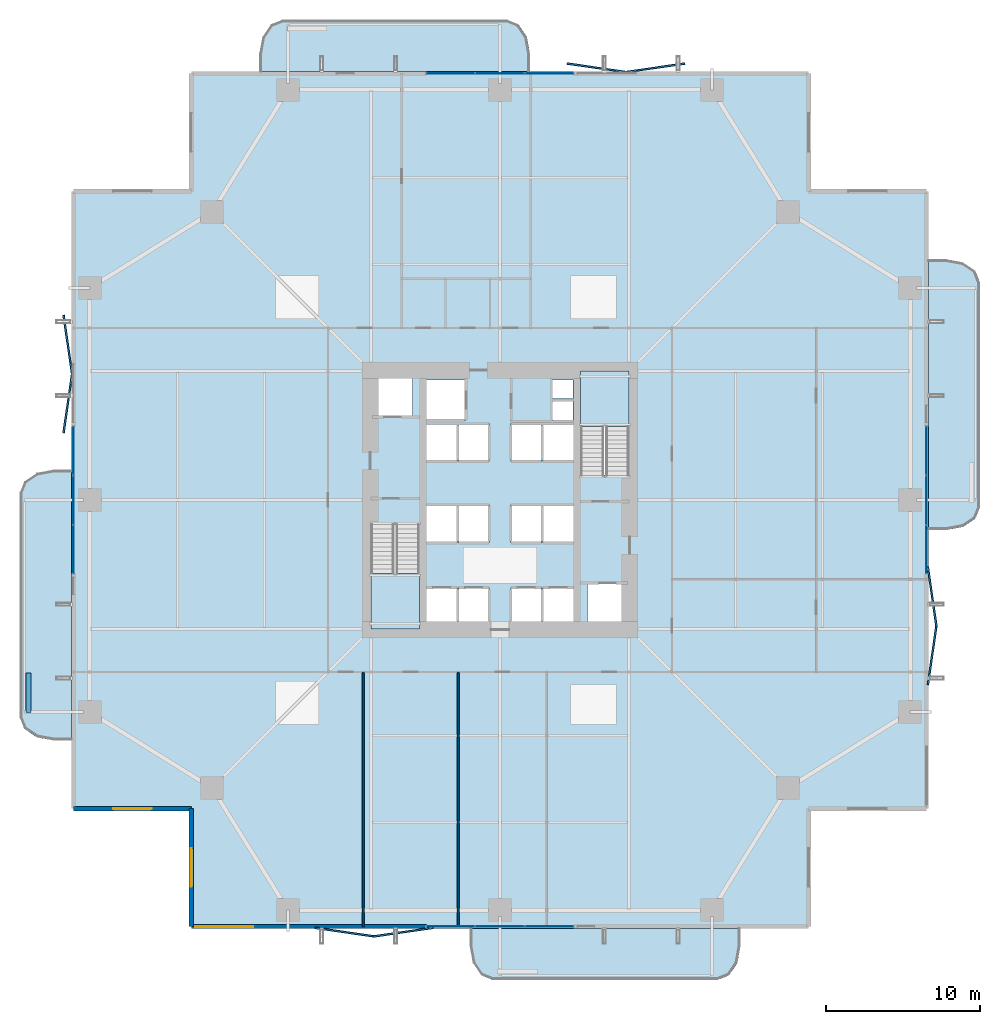
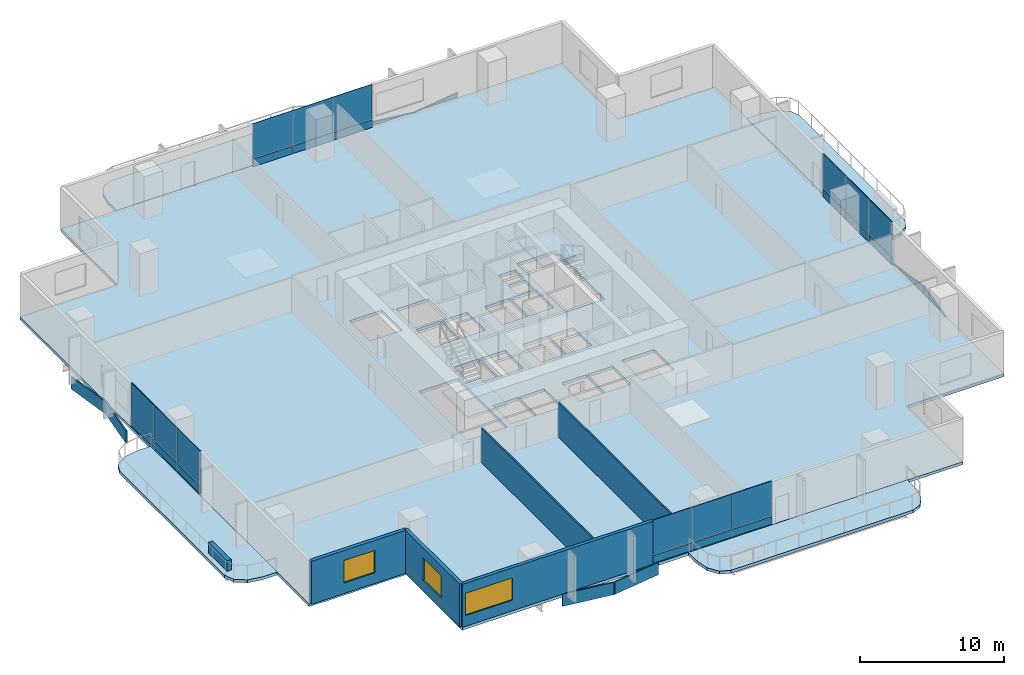
# One storey, part 16 of 24: 32 plates, 7 slabs, 6 walls, 3 windows, 3 openings, 6 elements without a shape of their own.
"""IFC4 building model written with IfcOpenShell, lengths in metres."""

from ifc_helpers import new_model, si_unit, direction, frame, frame_2d, origin, origin_2d, place, context, subcontext, project, spatial, polyline, rectangle, outline, extrude, material, layer, layer_set, type_object, element, fill, aggregate, save


model = new_model("IFC4")

# Units and contexts
model_context = context("Model", 3, precision=1e-05, world=origin(), true_north=direction((0.0, 1.0)))
body_context = subcontext(model_context, "Body", "Model", "MODEL_VIEW")
ifc_project = project(units=[si_unit("LENGTHUNIT", "METRE"), si_unit("AREAUNIT", "SQUARE_METRE"), si_unit("VOLUMEUNIT", "CUBIC_METRE"), si_unit("PLANEANGLEUNIT", "RADIAN"), si_unit("MASSUNIT", "GRAM", prefix="KILO")], contexts=[model_context])

# Site, building, storey
site_placement = place(None, origin())
site = spatial("IfcSite", under=ifc_project, at=site_placement, CompositionType="ELEMENT")
building_placement = place(site_placement, origin())
building = spatial("IfcBuilding", under=site, at=building_placement, Name="Belovzor Exchange Tower", CompositionType="ELEMENT")
storey_placement = place(building_placement, frame((0.0, 0.0, 96.300048828125)))
storey = spatial("IfcBuildingStorey", under=building, at=storey_placement, Name="L23", CompositionType="ELEMENT", Elevation=96.300048828125)

# Slab
ifc_material_1 = material(Name="Concrete C40/50", Category="concrete")
ifc_layer_1 = layer(ifc_material_1, 0.25)
ifc_layer_set_1 = layer_set([ifc_layer_1], Name="Concrete C40/50")
slab_type_1 = type_object("IfcSlabType", Name="Composite Concrete Floor Deck Slab 250", PredefinedType="FLOOR", material=ifc_layer_set_1)
slab_1_placement = place(storey_placement, frame((0.0, 0.0, -0.25)))
element("IfcSlab", 1, at=slab_1_placement, inside=storey, type_object=slab_type_1, Name="SL-F250 Structural Slab L23", PredefinedType="FLOOR", context=body_context, shape_type="SweptSolid", body=[
    extrude(outline(polyline([(8.699951171875, 0.89990234375), (48.89990234375, 0.89990234375), (48.89990234375, 8.699951171875), (56.699951171875, 8.699951171875), (56.699951171875, 48.89990234375), (48.89990234375, 48.89990234375), (48.89990234375, 56.699951171875), (8.699951171875, 56.699951171875), (8.699951171875, 48.89990234375), (0.89990234375, 48.89990234375), (0.89990234375, 8.699951171875), (8.699951171875, 8.699951171875), (8.699951171875, 0.89990234375)]), holes=[polyline([(20.39990234375, 27.175048828125), (20.39990234375, 20.39990234375), (23.550048828125, 20.39990234375), (23.550048828125, 27.175048828125), (20.39990234375, 27.175048828125)]), polyline([(37.199951171875, 30.425048828125), (37.199951171875, 37.199951171875), (34.050048828125, 37.199951171875), (34.050048828125, 30.425048828125), (37.199951171875, 30.425048828125)]), polyline([(20.5, 34.199951171875), (23.10009765625, 34.199951171875), (23.10009765625, 37.0), (20.5, 37.0), (20.5, 34.199951171875)]), polyline([(34.5, 20.60009765625), (37.10009765625, 20.60009765625), (37.10009765625, 23.39990234375), (34.5, 23.39990234375), (34.5, 20.60009765625)]), polyline([(24.0, 34.0), (26.60009765625, 34.0), (26.60009765625, 36.60009765625), (24.0, 36.60009765625), (24.0, 34.0)]), polyline([(24.0, 20.60009765625), (26.0, 20.60009765625), (26.0, 23.10009765625), (24.0, 23.10009765625), (24.0, 20.60009765625)]), polyline([(26.10009765625, 20.60009765625), (28.10009765625, 20.60009765625), (28.10009765625, 23.10009765625), (26.10009765625, 23.10009765625), (26.10009765625, 20.60009765625)]), polyline([(29.5, 20.60009765625), (31.5, 20.60009765625), (31.5, 23.10009765625), (29.5, 23.10009765625), (29.5, 20.60009765625)]), polyline([(31.60009765625, 20.60009765625), (33.60009765625, 20.60009765625), (33.60009765625, 23.10009765625), (31.60009765625, 23.10009765625), (31.60009765625, 20.60009765625)]), polyline([(24.0, 26.0), (26.0, 26.0), (26.0, 28.5), (24.0, 28.5), (24.0, 26.0)]), polyline([(26.10009765625, 26.0), (28.10009765625, 26.0), (28.10009765625, 28.5), (26.10009765625, 28.5), (26.10009765625, 26.0)]), polyline([(29.5, 26.0), (31.5, 26.0), (31.5, 28.5), (29.5, 28.5), (29.5, 26.0)]), polyline([(31.60009765625, 26.0), (33.60009765625, 26.0), (33.60009765625, 28.5), (31.60009765625, 28.5), (31.60009765625, 26.0)]), polyline([(24.0, 31.300048828125), (26.0, 31.300048828125), (26.0, 33.800048828125), (24.0, 33.800048828125), (24.0, 31.300048828125)]), polyline([(26.10009765625, 31.300048828125), (28.10009765625, 31.300048828125), (28.10009765625, 33.800048828125), (26.10009765625, 33.800048828125), (26.10009765625, 31.300048828125)]), polyline([(29.5, 31.300048828125), (31.5, 31.300048828125), (31.5, 33.800048828125), (29.5, 33.800048828125), (29.5, 31.300048828125)]), polyline([(31.60009765625, 31.300048828125), (33.60009765625, 31.300048828125), (33.60009765625, 33.800048828125), (31.60009765625, 33.800048828125), (31.60009765625, 31.300048828125)]), polyline([(32.199951171875, 34.0), (33.550048828125, 34.0), (33.550048828125, 35.199951171875), (32.199951171875, 35.199951171875), (32.199951171875, 34.0)]), polyline([(32.199951171875, 35.39990234375), (33.550048828125, 35.39990234375), (33.550048828125, 36.60009765625), (32.199951171875, 36.60009765625), (32.199951171875, 35.39990234375)])]), origin(), (0.0, 0.0, 1.0), 0.25),
])

# Plates
ifc_material_2 = material(Name="Extruded Architectural Terracotta", Category="masonry")
ifc_layer_2 = layer(ifc_material_2, 0.1201171875)
ifc_layer_set_2 = layer_set([ifc_layer_2], Name="Extruded Architectural Terracotta")
plate_type_1 = type_object("IfcPlateType", Name="Folded Zigzag Terracotta Spandrel Louvre 80", PredefinedType="USERDEFINED", material=ifc_layer_set_2)
for number, where, z_axis, x_axis, name in (
    (2, (18.699951171875, 0.6650390625, -1.03515625), (0.0, 0.0, 1.0), (0.989686419138, -0.143250800258, 0.0), "LVR-ZZ1 Zigzag Terracotta Spandrel Louvre L23 S1A"),
    (3, (22.5, 0.6650390625, -1.03515625), (0.0, 0.0, 1.0), (0.989686419138, 0.143250800258, 0.0), "LVR-ZZ1 Zigzag Terracotta Spandrel Louvre L23 S1B"),
    (4, (56.93505859375, 18.699951171875, -1.03515625), (0.0, 0.0, 1.0), (0.143250800258, 0.989686419138, 0.0), "LVR-ZZ1 Zigzag Terracotta Spandrel Louvre L23 E1A"),
    (5, (56.93505859375, 22.5, -1.03515625), (0.0, 0.0, 1.0), (-0.143250800258, 0.989686419138, 0.0), "LVR-ZZ1 Zigzag Terracotta Spandrel Louvre L23 E1B"),
    (6, (35.10009765625, 56.93505859375, -1.03515625), (0.0, 0.0, 1.0), (0.989686419138, -0.143250800258, 0.0), "LVR-ZZ1 Zigzag Terracotta Spandrel Louvre L23 N2A"),
    (7, (38.89990234375, 56.93505859375, -1.03515625), (0.0, 0.0, 1.0), (0.989686419138, 0.143250800258, 0.0), "LVR-ZZ1 Zigzag Terracotta Spandrel Louvre L23 N2B"),
    (8, (0.6650390625, 35.10009765625, -1.03515625), (0.0, 0.0, 1.0), (0.143250800258, 0.989686419138, 0.0), "LVR-ZZ1 Zigzag Terracotta Spandrel Louvre L23 W2A"),
    (9, (0.6650390625, 38.89990234375, -1.03515625), (0.0, 0.0, 1.0), (-0.143250800258, 0.989686419138, 0.0), "LVR-ZZ1 Zigzag Terracotta Spandrel Louvre L23 W2B"),
):
    element("IfcPlate", number, at=place(storey_placement, frame(where, z_axis=z_axis, x_axis=x_axis)), inside=storey, type_object=plate_type_1, Name=name, ObjectType="SPANDREL_LOUVRE", PredefinedType="USERDEFINED", context=body_context, shape_type="SweptSolid", body=[
        extrude(rectangle(XDim=3.919921875, YDim=0.1201171875, at=origin_2d()), origin(), (0.0, 0.0, 1.0), 1.050048828125),
    ])

# Curtain wall, plates
ifc_material_3 = material(Name="Anodised Aluminium Framing", Category="aluminium")
ifc_layer_3 = layer(ifc_material_3, 0.179931640625)
ifc_layer_set_3 = layer_set([ifc_layer_3], Name="Anodised Aluminium Framing")
curtain_wall_type = type_object("IfcCurtainWallType", Name="Recessed Loggia Low-Iron Triple-Glazed Curtain Wall", PredefinedType="NOTDEFINED", material=ifc_layer_set_3)
curtain_wall_1_placement = place(storey_placement, origin())
curtain_wall_1 = element("IfcCurtainWall", 10, at=curtain_wall_1_placement, inside=storey, type_object=curtain_wall_type, Name="CW3 Recessed Loggia Low-Iron Triple-Glazed Curtain Wall L23", PredefinedType="NOTDEFINED")
ifc_material_4 = material(Name="Solar-Control Triple Glazing", Category="glass")
ifc_layer_4 = layer(ifc_material_4, 0.0439453125)
ifc_layer_set_4 = layer_set([ifc_layer_4], Name="Solar-Control Triple Glazing")
plate_type_2 = type_object("IfcPlateType", Name="Insulated Solar Glazing Curtain Panel 44", PredefinedType="CURTAIN_PANEL", material=ifc_layer_set_4)
plate_1_placement = place(storey_placement, frame((32.0, 1.030029296875, 0.65185546875), z_axis=(0.0, 0.0, 1.0), x_axis=(-1.0, 0.0, 0.0)))
plate_1 = element("IfcPlate", 11, at=plate_1_placement, type_object=plate_type_2, Name="GLZ-44 Glazed Curtain Panel 1", PredefinedType="CURTAIN_PANEL", context=body_context, shape_type="SweptSolid", body=[
    extrude(rectangle(XDim=3.18408203125, YDim=0.0439453125, at=origin_2d()), origin(), (0.0, 0.0, 1.0), 2.998046875),
])
plate_2_placement = place(storey_placement, frame((28.800048828125, 1.030029296875, 0.65185546875), z_axis=(0.0, 0.0, 1.0), x_axis=(-1.0, 0.0, 0.0)))
plate_2 = element("IfcPlate", 12, at=plate_2_placement, type_object=plate_type_2, Name="GLZ-44 Glazed Curtain Panel 2", PredefinedType="CURTAIN_PANEL", context=body_context, shape_type="SweptSolid", body=[
    extrude(rectangle(XDim=3.18408203125, YDim=0.0439453125, at=origin_2d()), origin(), (0.0, 0.0, 1.0), 2.998046875),
])
plate_3_placement = place(storey_placement, frame((25.60009765625, 1.030029296875, 0.65185546875), z_axis=(0.0, 0.0, 1.0), x_axis=(-1.0, 0.0, 0.0)))
plate_3 = element("IfcPlate", 13, at=plate_3_placement, type_object=plate_type_2, Name="GLZ-44 Glazed Curtain Panel 3", PredefinedType="CURTAIN_PANEL", context=body_context, shape_type="SweptSolid", body=[
    extrude(rectangle(XDim=3.18408203125, YDim=0.0439453125, at=origin_2d()), origin(), (0.0, 0.0, 1.0), 2.998046875),
])

curtain_wall_2_placement = place(storey_placement, origin())
curtain_wall_2 = element("IfcCurtainWall", 14, at=curtain_wall_2_placement, inside=storey, type_object=curtain_wall_type, Name="CW3 Recessed Loggia Low-Iron Triple-Glazed Curtain Wall L23", PredefinedType="NOTDEFINED")
plate_4_placement = place(storey_placement, frame((25.60009765625, 56.570068359375, 0.65185546875), z_axis=(0.0, 0.0, 1.0), x_axis=(1.0, 0.0, 0.0)))
plate_4 = element("IfcPlate", 15, at=plate_4_placement, type_object=plate_type_2, Name="GLZ-44 Glazed Curtain Panel 1", PredefinedType="CURTAIN_PANEL", context=body_context, shape_type="SweptSolid", body=[
    extrude(rectangle(XDim=3.18408203125, YDim=0.0439453125, at=origin_2d()), origin(), (0.0, 0.0, 1.0), 2.998046875),
])
plate_5_placement = place(storey_placement, frame((28.800048828125, 56.570068359375, 0.65185546875), z_axis=(0.0, 0.0, 1.0), x_axis=(1.0, 0.0, 0.0)))
plate_5 = element("IfcPlate", 16, at=plate_5_placement, type_object=plate_type_2, Name="GLZ-44 Glazed Curtain Panel 2", PredefinedType="CURTAIN_PANEL", context=body_context, shape_type="SweptSolid", body=[
    extrude(rectangle(XDim=3.18408203125, YDim=0.0439453125, at=origin_2d()), origin(), (0.0, 0.0, 1.0), 2.998046875),
])
plate_6_placement = place(storey_placement, frame((32.0, 56.570068359375, 0.65185546875), z_axis=(0.0, 0.0, 1.0), x_axis=(1.0, 0.0, 0.0)))
plate_6 = element("IfcPlate", 17, at=plate_6_placement, type_object=plate_type_2, Name="GLZ-44 Glazed Curtain Panel 3", PredefinedType="CURTAIN_PANEL", context=body_context, shape_type="SweptSolid", body=[
    extrude(rectangle(XDim=3.18408203125, YDim=0.0439453125, at=origin_2d()), origin(), (0.0, 0.0, 1.0), 2.998046875),
])

curtain_wall_3_placement = place(storey_placement, origin())
curtain_wall_3 = element("IfcCurtainWall", 18, at=curtain_wall_3_placement, inside=storey, type_object=curtain_wall_type, Name="CW3 Recessed Loggia Low-Iron Triple-Glazed Curtain Wall L23", PredefinedType="NOTDEFINED")
plate_7_placement = place(storey_placement, frame((1.030029296875, 25.60009765625, 0.65185546875), z_axis=(0.0, 0.0, 1.0), x_axis=(0.0, 1.0, 0.0)))
plate_7 = element("IfcPlate", 19, at=plate_7_placement, type_object=plate_type_2, Name="GLZ-44 Glazed Curtain Panel 1", PredefinedType="CURTAIN_PANEL", context=body_context, shape_type="SweptSolid", body=[
    extrude(rectangle(XDim=3.18408203125, YDim=0.0439453125, at=origin_2d()), origin(), (0.0, 0.0, 1.0), 2.998046875),
])
plate_8_placement = place(storey_placement, frame((1.030029296875, 28.800048828125, 0.65185546875), z_axis=(0.0, 0.0, 1.0), x_axis=(0.0, 1.0, 0.0)))
plate_8 = element("IfcPlate", 20, at=plate_8_placement, type_object=plate_type_2, Name="GLZ-44 Glazed Curtain Panel 2", PredefinedType="CURTAIN_PANEL", context=body_context, shape_type="SweptSolid", body=[
    extrude(rectangle(XDim=3.18408203125, YDim=0.0439453125, at=origin_2d()), origin(), (0.0, 0.0, 1.0), 2.998046875),
])
plate_9_placement = place(storey_placement, frame((1.030029296875, 32.0, 0.65185546875), z_axis=(0.0, 0.0, 1.0), x_axis=(0.0, 1.0, 0.0)))
plate_9 = element("IfcPlate", 21, at=plate_9_placement, type_object=plate_type_2, Name="GLZ-44 Glazed Curtain Panel 3", PredefinedType="CURTAIN_PANEL", context=body_context, shape_type="SweptSolid", body=[
    extrude(rectangle(XDim=3.18408203125, YDim=0.0439453125, at=origin_2d()), origin(), (0.0, 0.0, 1.0), 2.998046875),
])

curtain_wall_4_placement = place(storey_placement, origin())
curtain_wall_4 = element("IfcCurtainWall", 22, at=curtain_wall_4_placement, inside=storey, type_object=curtain_wall_type, Name="CW3 Recessed Loggia Low-Iron Triple-Glazed Curtain Wall L23", PredefinedType="NOTDEFINED")
plate_10_placement = place(storey_placement, frame((56.570068359375, 32.0, 0.65185546875), z_axis=(0.0, 0.0, 1.0), x_axis=(0.0, -1.0, 0.0)))
plate_10 = element("IfcPlate", 23, at=plate_10_placement, type_object=plate_type_2, Name="GLZ-44 Glazed Curtain Panel 1", PredefinedType="CURTAIN_PANEL", context=body_context, shape_type="SweptSolid", body=[
    extrude(rectangle(XDim=3.18408203125, YDim=0.0439453125, at=origin_2d()), origin(), (0.0, 0.0, 1.0), 2.998046875),
])
plate_11_placement = place(storey_placement, frame((56.570068359375, 28.800048828125, 0.65185546875), z_axis=(0.0, 0.0, 1.0), x_axis=(0.0, -1.0, 0.0)))
plate_11 = element("IfcPlate", 24, at=plate_11_placement, type_object=plate_type_2, Name="GLZ-44 Glazed Curtain Panel 2", PredefinedType="CURTAIN_PANEL", context=body_context, shape_type="SweptSolid", body=[
    extrude(rectangle(XDim=3.18408203125, YDim=0.0439453125, at=origin_2d()), origin(), (0.0, 0.0, 1.0), 2.998046875),
])
plate_12_placement = place(storey_placement, frame((56.570068359375, 25.60009765625, 0.65185546875), z_axis=(0.0, 0.0, 1.0), x_axis=(0.0, -1.0, 0.0)))
plate_12 = element("IfcPlate", 25, at=plate_12_placement, type_object=plate_type_2, Name="GLZ-44 Glazed Curtain Panel 3", PredefinedType="CURTAIN_PANEL", context=body_context, shape_type="SweptSolid", body=[
    extrude(rectangle(XDim=3.18408203125, YDim=0.0439453125, at=origin_2d()), origin(), (0.0, 0.0, 1.0), 2.998046875),
])

# Stair, slab
ifc_material_5 = material(Name="Concrete C40/50", Category="concrete")
stair_type = type_object("IfcStairType", Name="Reinforced Concrete Dogleg Escape Stair 1350", PredefinedType="HALF_TURN_STAIR", material=ifc_material_5)
stair_1_placement = place(storey_placement, origin())
stair_1 = element("IfcStair", 26, at=stair_1_placement, inside=storey, type_object=stair_type, Name="L23 ST-1", PredefinedType="HALF_TURN_STAIR")
ifc_material_6 = material(Name="Concrete C40/50", Category="concrete")
ifc_layer_5 = layer(ifc_material_6, 0.199951171875)
ifc_layer_set_5 = layer_set([ifc_layer_5], Name="Concrete C40/50")
slab_type_2 = type_object("IfcSlabType", Name="Reinforced Concrete Stair Half-Landing Slab 200", PredefinedType="LANDING", material=ifc_layer_set_5)
slab_2_placement = place(storey_placement, frame((0.0, 0.0, 1.75)))
slab_2 = element("IfcSlab", 27, at=slab_2_placement, type_object=slab_type_2, Name="ST-1 landing 1", PredefinedType="LANDING", context=body_context, shape_type="SweptSolid", body=[
    extrude(outline(polyline([(20.39990234375, 24.010009765625), (20.39990234375, 20.39990234375), (23.550048828125, 20.39990234375), (23.550048828125, 24.010009765625), (20.39990234375, 24.010009765625)])), origin(), (0.0, 0.0, 1.0), 0.199951171875),
])
aggregate(stair_1, [slab_2])

stair_2_placement = place(storey_placement, origin())
stair_2 = element("IfcStair", 28, at=stair_2_placement, inside=storey, type_object=stair_type, Name="L23 ST-2", PredefinedType="HALF_TURN_STAIR")
slab_3_placement = place(storey_placement, frame((0.0, 0.0, 1.75)))
slab_3 = element("IfcSlab", 29, at=slab_3_placement, type_object=slab_type_2, Name="ST-2 landing 1", PredefinedType="LANDING", context=body_context, shape_type="SweptSolid", body=[
    extrude(outline(polyline([(37.199951171875, 33.590087890625), (37.199951171875, 37.199951171875), (34.050048828125, 37.199951171875), (34.050048828125, 33.590087890625), (37.199951171875, 33.590087890625)])), origin(), (0.0, 0.0, 1.0), 0.199951171875),
])
aggregate(stair_2, [slab_3])

# Plate
ifc_material_7 = material(Name="Extruded Architectural Terracotta", Category="masonry")
ifc_layer_6 = layer(ifc_material_7, 0.090087890625)
ifc_layer_set_6 = layer_set([ifc_layer_6], Name="Extruded Architectural Terracotta")
plate_type_3 = type_object("IfcPlateType", Name="Terracotta Shadow-Box Spandrel Panel 90", PredefinedType="CURTAIN_PANEL", material=ifc_layer_set_6)
plate_13_placement = place(storey_placement, frame((32.0, 1.030029296875, 0.0), z_axis=(0.0, 0.0, 1.0), x_axis=(-1.0, 0.0, 0.0)))
plate_13 = element("IfcPlate", 30, at=plate_13_placement, type_object=plate_type_3, Name="SPD-90 Spandrel Panel 1", PredefinedType="CURTAIN_PANEL", context=body_context, shape_type="SweptSolid", body=[
    extrude(rectangle(XDim=3.18408203125, YDim=0.090087890625, at=origin_2d()), origin(), (0.0, 0.0, 1.0), 0.64794921875),
])

plate_14_placement = place(storey_placement, frame((28.800048828125, 1.030029296875, 0.0), z_axis=(0.0, 0.0, 1.0), x_axis=(-1.0, 0.0, 0.0)))
plate_14 = element("IfcPlate", 31, at=plate_14_placement, type_object=plate_type_3, Name="SPD-90 Spandrel Panel 2", PredefinedType="CURTAIN_PANEL", context=body_context, shape_type="SweptSolid", body=[
    extrude(rectangle(XDim=3.18408203125, YDim=0.090087890625, at=origin_2d()), origin(), (0.0, 0.0, 1.0), 0.64794921875),
])

plate_15_placement = place(storey_placement, frame((25.60009765625, 1.030029296875, 0.0), z_axis=(0.0, 0.0, 1.0), x_axis=(-1.0, 0.0, 0.0)))
plate_15 = element("IfcPlate", 32, at=plate_15_placement, type_object=plate_type_3, Name="SPD-90 Spandrel Panel 3", PredefinedType="CURTAIN_PANEL", context=body_context, shape_type="SweptSolid", body=[
    extrude(rectangle(XDim=3.18408203125, YDim=0.090087890625, at=origin_2d()), origin(), (0.0, 0.0, 1.0), 0.64794921875),
])

aggregate(curtain_wall_1, [plate_13, plate_1, plate_14, plate_2, plate_15, plate_3])

plate_16_placement = place(storey_placement, frame((25.60009765625, 56.570068359375, 0.0), z_axis=(0.0, 0.0, 1.0), x_axis=(1.0, 0.0, 0.0)))
plate_16 = element("IfcPlate", 33, at=plate_16_placement, type_object=plate_type_3, Name="SPD-90 Spandrel Panel 1", PredefinedType="CURTAIN_PANEL", context=body_context, shape_type="SweptSolid", body=[
    extrude(rectangle(XDim=3.18408203125, YDim=0.090087890625, at=origin_2d()), origin(), (0.0, 0.0, 1.0), 0.64794921875),
])

plate_17_placement = place(storey_placement, frame((28.800048828125, 56.570068359375, 0.0), z_axis=(0.0, 0.0, 1.0), x_axis=(1.0, 0.0, 0.0)))
plate_17 = element("IfcPlate", 34, at=plate_17_placement, type_object=plate_type_3, Name="SPD-90 Spandrel Panel 2", PredefinedType="CURTAIN_PANEL", context=body_context, shape_type="SweptSolid", body=[
    extrude(rectangle(XDim=3.18408203125, YDim=0.090087890625, at=origin_2d()), origin(), (0.0, 0.0, 1.0), 0.64794921875),
])

plate_18_placement = place(storey_placement, frame((32.0, 56.570068359375, 0.0), z_axis=(0.0, 0.0, 1.0), x_axis=(1.0, 0.0, 0.0)))
plate_18 = element("IfcPlate", 35, at=plate_18_placement, type_object=plate_type_3, Name="SPD-90 Spandrel Panel 3", PredefinedType="CURTAIN_PANEL", context=body_context, shape_type="SweptSolid", body=[
    extrude(rectangle(XDim=3.18408203125, YDim=0.090087890625, at=origin_2d()), origin(), (0.0, 0.0, 1.0), 0.64794921875),
])

aggregate(curtain_wall_2, [plate_16, plate_4, plate_17, plate_5, plate_18, plate_6])

plate_19_placement = place(storey_placement, frame((1.030029296875, 25.60009765625, 0.0), z_axis=(0.0, 0.0, 1.0), x_axis=(0.0, 1.0, 0.0)))
plate_19 = element("IfcPlate", 36, at=plate_19_placement, type_object=plate_type_3, Name="SPD-90 Spandrel Panel 1", PredefinedType="CURTAIN_PANEL", context=body_context, shape_type="SweptSolid", body=[
    extrude(rectangle(XDim=3.18408203125, YDim=0.090087890625, at=origin_2d()), origin(), (0.0, 0.0, 1.0), 0.64794921875),
])

plate_20_placement = place(storey_placement, frame((1.030029296875, 28.800048828125, 0.0), z_axis=(0.0, 0.0, 1.0), x_axis=(0.0, 1.0, 0.0)))
plate_20 = element("IfcPlate", 37, at=plate_20_placement, type_object=plate_type_3, Name="SPD-90 Spandrel Panel 2", PredefinedType="CURTAIN_PANEL", context=body_context, shape_type="SweptSolid", body=[
    extrude(rectangle(XDim=3.18408203125, YDim=0.090087890625, at=origin_2d()), origin(), (0.0, 0.0, 1.0), 0.64794921875),
])

plate_21_placement = place(storey_placement, frame((1.030029296875, 32.0, 0.0), z_axis=(0.0, 0.0, 1.0), x_axis=(0.0, 1.0, 0.0)))
plate_21 = element("IfcPlate", 38, at=plate_21_placement, type_object=plate_type_3, Name="SPD-90 Spandrel Panel 3", PredefinedType="CURTAIN_PANEL", context=body_context, shape_type="SweptSolid", body=[
    extrude(rectangle(XDim=3.18408203125, YDim=0.090087890625, at=origin_2d()), origin(), (0.0, 0.0, 1.0), 0.64794921875),
])

aggregate(curtain_wall_3, [plate_19, plate_7, plate_20, plate_8, plate_21, plate_9])

plate_22_placement = place(storey_placement, frame((56.570068359375, 32.0, 0.0), z_axis=(0.0, 0.0, 1.0), x_axis=(0.0, -1.0, 0.0)))
plate_22 = element("IfcPlate", 39, at=plate_22_placement, type_object=plate_type_3, Name="SPD-90 Spandrel Panel 1", PredefinedType="CURTAIN_PANEL", context=body_context, shape_type="SweptSolid", body=[
    extrude(rectangle(XDim=3.18408203125, YDim=0.090087890625, at=origin_2d()), origin(), (0.0, 0.0, 1.0), 0.64794921875),
])

plate_23_placement = place(storey_placement, frame((56.570068359375, 28.800048828125, 0.0), z_axis=(0.0, 0.0, 1.0), x_axis=(0.0, -1.0, 0.0)))
plate_23 = element("IfcPlate", 40, at=plate_23_placement, type_object=plate_type_3, Name="SPD-90 Spandrel Panel 2", PredefinedType="CURTAIN_PANEL", context=body_context, shape_type="SweptSolid", body=[
    extrude(rectangle(XDim=3.18408203125, YDim=0.090087890625, at=origin_2d()), origin(), (0.0, 0.0, 1.0), 0.64794921875),
])

plate_24_placement = place(storey_placement, frame((56.570068359375, 25.60009765625, 0.0), z_axis=(0.0, 0.0, 1.0), x_axis=(0.0, -1.0, 0.0)))
plate_24 = element("IfcPlate", 41, at=plate_24_placement, type_object=plate_type_3, Name="SPD-90 Spandrel Panel 3", PredefinedType="CURTAIN_PANEL", context=body_context, shape_type="SweptSolid", body=[
    extrude(rectangle(XDim=3.18408203125, YDim=0.090087890625, at=origin_2d()), origin(), (0.0, 0.0, 1.0), 0.64794921875),
])

aggregate(curtain_wall_4, [plate_22, plate_10, plate_23, plate_11, plate_24, plate_12])

# Slabs
ifc_material_8 = material(Name="Concrete C40/50", Category="concrete")
ifc_layer_7 = layer(ifc_material_8, 0.25)
ifc_layer_set_7 = layer_set([ifc_layer_7], Name="Concrete C40/50")
slab_type_3 = type_object("IfcSlabType", Name="Thermally Broken Planted Balcony Slab 250", PredefinedType="FLOOR", material=ifc_layer_set_7)
slab_4_placement = place(storey_placement, frame((0.0, 0.0, -0.25)))
element("IfcSlab", 42, at=slab_4_placement, inside=storey, type_object=slab_type_3, Name="SL-BAL220 Planted Balcony Loggia L23 South", PredefinedType="FLOOR", context=body_context, shape_type="SweptSolid", body=[
    extrude(outline(polyline([(26.85009765625, 0.9150390625), (26.85009765625, -0.25), (27.051025390625, -1.35009765625), (27.60009765625, -2.155029296875), (28.35009765625, -2.449951171875), (42.949951171875, -2.449951171875), (43.699951171875, -2.155029296875), (44.2490234375, -1.35009765625), (44.449951171875, -0.25), (44.449951171875, 0.9150390625), (26.85009765625, 0.9150390625)])), origin(), (0.0, 0.0, 1.0), 0.25),
])
slab_5_placement = place(storey_placement, frame((0.0, 0.0, -0.25)))
element("IfcSlab", 43, at=slab_5_placement, inside=storey, type_object=slab_type_3, Name="SL-BAL220 Planted Balcony Loggia L23 North", PredefinedType="FLOOR", context=body_context, shape_type="SweptSolid", body=[
    extrude(outline(polyline([(30.75, 56.68505859375), (30.75, 57.85009765625), (30.549072265625, 58.949951171875), (30.0, 59.7548828125), (29.25, 60.050048828125), (14.64990234375, 60.050048828125), (13.89990234375, 59.7548828125), (13.35107421875, 58.949951171875), (13.14990234375, 57.85009765625), (13.14990234375, 56.68505859375), (30.75, 56.68505859375)])), origin(), (0.0, 0.0, 1.0), 0.25),
])
slab_6_placement = place(storey_placement, frame((0.0, 0.0, -0.25)))
element("IfcSlab", 44, at=slab_6_placement, inside=storey, type_object=slab_type_3, Name="SL-BAL220 Planted Balcony Loggia L23 East", PredefinedType="FLOOR", context=body_context, shape_type="SweptSolid", body=[
    extrude(outline(polyline([(56.68505859375, 26.85009765625), (57.85009765625, 26.85009765625), (58.949951171875, 27.051025390625), (59.7548828125, 27.60009765625), (60.050048828125, 28.35009765625), (60.050048828125, 42.949951171875), (59.7548828125, 43.699951171875), (58.949951171875, 44.2490234375), (57.85009765625, 44.449951171875), (56.68505859375, 44.449951171875), (56.68505859375, 26.85009765625)])), origin(), (0.0, 0.0, 1.0), 0.25),
])
slab_7_placement = place(storey_placement, frame((0.0, 0.0, -0.25)))
element("IfcSlab", 45, at=slab_7_placement, inside=storey, type_object=slab_type_3, Name="SL-BAL220 Planted Balcony Loggia L23 West", PredefinedType="FLOOR", context=body_context, shape_type="SweptSolid", body=[
    extrude(outline(polyline([(0.9150390625, 30.75), (-0.25, 30.75), (-1.35009765625, 30.549072265625), (-2.155029296875, 30.0), (-2.449951171875, 29.25), (-2.449951171875, 14.64990234375), (-2.155029296875, 13.89990234375), (-1.35009765625, 13.35107421875), (-0.25, 13.14990234375), (0.9150390625, 13.14990234375), (0.9150390625, 30.75)])), origin(), (0.0, 0.0, 1.0), 0.25),
])

# Walls
ifc_material_9 = material(Name="Acoustic Plasterboard on Galvanised Studs", Category="gypsum")
ifc_layer_8 = layer(ifc_material_9, 0.1201171875)
ifc_layer_set_8 = layer_set([ifc_layer_8], Name="Acoustic Plasterboard on Galvanised Studs")
wall_type_1 = type_object("IfcWallType", Name="Acoustic Double-Stud Partition Wall 120", PredefinedType="PARTITIONING", material=ifc_layer_set_8)
for number, where, z_axis, x_axis, name in (
    (46, (19.89990234375, 1.030029296875, 0.0), (0.0, 0.0, 1.0), (0.0, 1.0, 0.0), "W-P120 Partition Wall W-L23-SDIV-1"),
    (47, (26.080078125, 1.030029296875, 0.0), (0.0, 0.0, 1.0), (0.0, 1.0, 0.0), "W-P120 Partition Wall W-L23-SDIV-2"),
):
    element("IfcWall", number, at=place(storey_placement, frame(where, z_axis=z_axis, x_axis=x_axis)), inside=storey, type_object=wall_type_1, Name=name, PredefinedType="PARTITIONING", context=body_context, shape_type="SweptSolid", body=[
        extrude(rectangle(XDim=16.570068359375, YDim=0.1201171875, at=frame_2d((8.28515625, 0.0))), origin(), (0.0, 0.0, 1.0), 2.93505859375),
    ])

# Wall, opening, window
ifc_material_10 = material(Name="Precast concrete C40/50", Category="concrete")
ifc_layer_9 = layer(ifc_material_10, 0.280029296875)
ifc_layer_set_9 = layer_set([ifc_layer_9], Name="Precast concrete C40/50")
wall_type_2 = type_object("IfcWallType", Name="Precast Concrete Notched Corner Frame Wall 280", PredefinedType="SOLIDWALL", material=ifc_layer_set_9)
wall_1_placement = place(storey_placement, frame((8.699951171875, 1.030029296875, 0.0), z_axis=(0.0, 0.0, 1.0), x_axis=(0.0, 1.0, 0.0)))
wall_1 = element("IfcWall", 48, at=wall_1_placement, inside=storey, type_object=wall_type_2, Name="W-CRN280 Precast Concrete Notched Corner Frame Wall 280 L23", PredefinedType="SOLIDWALL", context=body_context, shape_type="SweptSolid", body=[
    extrude(rectangle(XDim=7.669921875, YDim=0.280029296875, at=frame_2d((3.8349609375, 0.0))), origin(), (0.0, 0.0, 1.0), 3.64990234375),
])
opening_1_placement = place(wall_1_placement, frame((2.5849609375, 0.0, 0.89990234375)))
opening_1 = element("IfcOpeningElement", 49, at=opening_1_placement, cuts=wall_1, Name="Opening WN-CRN250", PredefinedType="OPENING", context=body_context, shape_type="SweptSolid", body=[
    extrude(rectangle(XDim=2.5, YDim=1.89990234375, at=frame_2d((1.25, 0.949951171875))), frame((0.0, 0.14990234375, 0.0), z_axis=(0.0, -1.0, 0.0), x_axis=(1.0, 0.0, 0.0)), (0.0, 0.0, 1.0), 0.300048828125),
])
ifc_material_11 = material(Name="Thermally Broken Aluminium and Triple Glazing", Category="aluminium")
window_type_1 = type_object("IfcWindowType", Name="Streamline Moderne Corner Wrap Ribbon Window 2500x1900", PartitioningType="SINGLE_PANEL", PredefinedType="WINDOW", material=ifc_material_11)
window_1_placement = place(opening_1_placement, origin())
window_1 = element("IfcWindow", 50, at=window_1_placement, inside=storey, type_object=window_type_1, Name="WN-CRN250 Streamline Moderne Corner Wrap Ribbon Window 2500x1900", OverallHeight=1.89990234375, OverallWidth=2.5, PartitioningType="SINGLE_PANEL", PredefinedType="WINDOW", context=body_context, shape_type="SweptSolid", body=[
    extrude(rectangle(XDim=2.5, YDim=1.89990234375, at=frame_2d((1.25, 0.949951171875))), frame((0.0, 0.030029296875, 0.0), z_axis=(0.0, -1.0, 0.0), x_axis=(1.0, 0.0, 0.0)), (0.0, 0.0, 1.0), 0.06005859375),
])
fill(opening_1, window_1)

wall_2_placement = place(storey_placement, frame((8.699951171875, 8.699951171875, 0.0), z_axis=(0.0, 0.0, 1.0), x_axis=(-1.0, 0.0, 0.0)))
wall_2 = element("IfcWall", 51, at=wall_2_placement, inside=storey, type_object=wall_type_2, Name="W-CRN280 Precast Concrete Notched Corner Frame Wall 280 L23", PredefinedType="SOLIDWALL", context=body_context, shape_type="SweptSolid", body=[
    extrude(rectangle(XDim=7.669921875, YDim=0.280029296875, at=frame_2d((3.8349609375, 0.0))), origin(), (0.0, 0.0, 1.0), 3.64990234375),
])
opening_2_placement = place(wall_2_placement, frame((2.5849609375, 0.0, 0.89990234375)))
opening_2 = element("IfcOpeningElement", 52, at=opening_2_placement, cuts=wall_2, Name="Opening WN-CRN250", PredefinedType="OPENING", context=body_context, shape_type="SweptSolid", body=[
    extrude(rectangle(XDim=2.5, YDim=1.89990234375, at=frame_2d((1.25, 0.949951171875))), frame((0.0, 0.14990234375, 0.0), z_axis=(0.0, -1.0, 0.0), x_axis=(1.0, 0.0, 0.0)), (0.0, 0.0, 1.0), 0.300048828125),
])
window_2_placement = place(opening_2_placement, origin())
window_2 = element("IfcWindow", 53, at=window_2_placement, inside=storey, type_object=window_type_1, Name="WN-CRN250 Streamline Moderne Corner Wrap Ribbon Window 2500x1900", OverallHeight=1.89990234375, OverallWidth=2.5, PartitioningType="SINGLE_PANEL", PredefinedType="WINDOW", context=body_context, shape_type="SweptSolid", body=[
    extrude(rectangle(XDim=2.5, YDim=1.89990234375, at=frame_2d((1.25, 0.949951171875))), frame((0.0, 0.030029296875, 0.0), z_axis=(0.0, -1.0, 0.0), x_axis=(1.0, 0.0, 0.0)), (0.0, 0.0, 1.0), 0.06005859375),
])
fill(opening_2, window_2)

ifc_material_12 = material(Name="Precast concrete C40/50", Category="concrete")
ifc_layer_10 = layer(ifc_material_12, 0.260009765625)
ifc_layer_set_10 = layer_set([ifc_layer_10], Name="Precast concrete C40/50")
wall_type_3 = type_object("IfcWallType", Name="Precast Concrete Perimeter Loggia Frame Wall 260", PredefinedType="SOLIDWALL", material=ifc_layer_set_10)
wall_3_placement = place(storey_placement, frame((24.0, 1.030029296875, 0.0), z_axis=(0.0, 0.0, 1.0), x_axis=(-1.0, 0.0, 0.0)))
wall_3 = element("IfcWall", 54, at=wall_3_placement, inside=storey, type_object=wall_type_3, Name="W-EXT260 Precast Concrete Perimeter Loggia Frame Wall 260 L23", PredefinedType="SOLIDWALL", context=body_context, shape_type="SweptSolid", body=[
    extrude(rectangle(XDim=15.300048828125, YDim=0.260009765625, at=frame_2d((7.64990234375, 0.0))), origin(), (0.0, 0.0, 1.0), 3.64990234375),
])
opening_3_placement = place(wall_3_placement, frame((11.25, 0.0, 0.89990234375)))
opening_3 = element("IfcOpeningElement", 55, at=opening_3_placement, cuts=wall_3, Name="Opening WN-RIB380", PredefinedType="OPENING", context=body_context, shape_type="SweptSolid", body=[
    extrude(rectangle(XDim=3.800048828125, YDim=1.89990234375, at=frame_2d((1.89990234375, 0.949951171875))), frame((0.0, 0.139892578125, 0.0), z_axis=(0.0, -1.0, 0.0), x_axis=(1.0, 0.0, 0.0)), (0.0, 0.0, 1.0), 0.280029296875),
])
ifc_material_13 = material(Name="Thermally Broken Aluminium and Triple Glazing", Category="aluminium")
window_type_2 = type_object("IfcWindowType", Name="Streamline Moderne Horizontal Ribbon Window 3800x1900", PartitioningType="SINGLE_PANEL", PredefinedType="WINDOW", material=ifc_material_13)
window_3_placement = place(opening_3_placement, origin())
window_3 = element("IfcWindow", 56, at=window_3_placement, inside=storey, type_object=window_type_2, Name="WN-RIB380 Streamline Moderne Horizontal Ribbon Window 3800x1900", OverallHeight=1.89990234375, OverallWidth=3.800048828125, PartitioningType="SINGLE_PANEL", PredefinedType="WINDOW", context=body_context, shape_type="SweptSolid", body=[
    extrude(rectangle(XDim=3.800048828125, YDim=1.89990234375, at=frame_2d((1.89990234375, 0.949951171875))), frame((0.0, 0.030029296875, 0.0), z_axis=(0.0, -1.0, 0.0), x_axis=(1.0, 0.0, 0.0)), (0.0, 0.0, 1.0), 0.06005859375),
])
fill(opening_3, window_3)

# Wall
ifc_material_14 = material(Name="Precast concrete C40/50", Category="concrete")
ifc_layer_11 = layer(ifc_material_14, 0.35009765625)
ifc_layer_set_11 = layer_set([ifc_layer_11], Name="Precast concrete C40/50")
wall_type_4 = type_object("IfcWallType", Name="Precast Concrete Structural Tree Planter Trough 350", PredefinedType="PARAPET", material=ifc_layer_set_11)
wall_4_placement = place(storey_placement, frame((-1.89990234375, 14.949951171875, 0.0), z_axis=(0.0, 0.0, 1.0), x_axis=(0.0, 1.0, 0.0)))
element("IfcWall", 57, at=wall_4_placement, inside=storey, type_object=wall_type_4, Name="PT-350 Precast Concrete Structural Tree Planter Trough 350 L23", PredefinedType="PARAPET", context=body_context, shape_type="SweptSolid", body=[
    extrude(rectangle(XDim=2.60009765625, YDim=0.35009765625, at=frame_2d((1.300048828125, 0.0))), origin(), (0.0, 0.0, 1.0), 0.89990234375),
])

save(model, "model.ifc")
